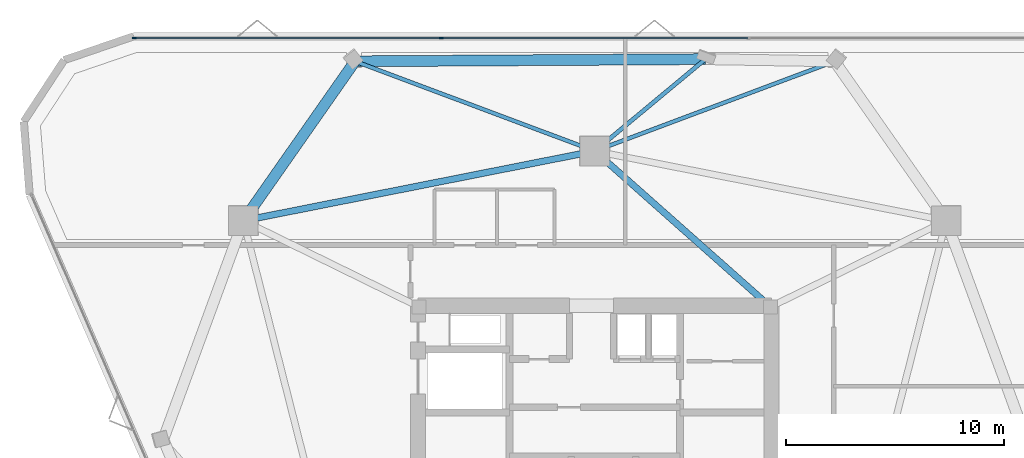
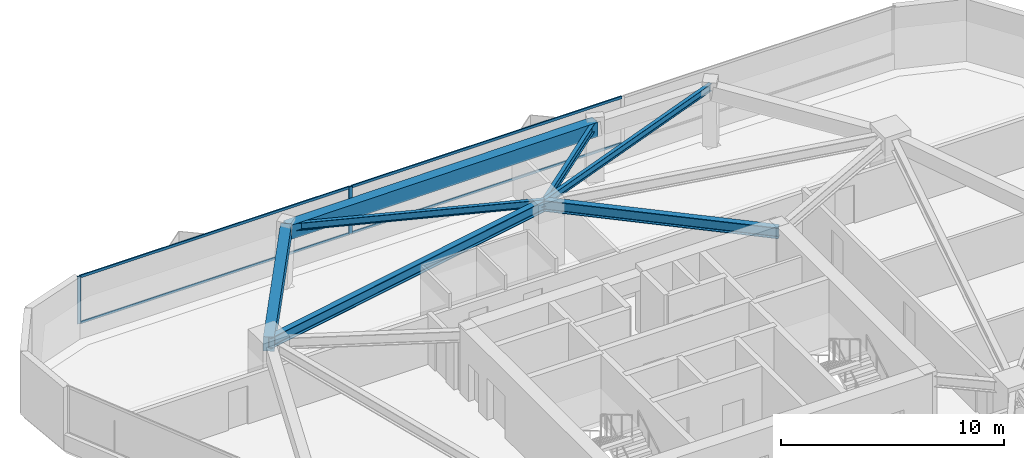
# One storey, part 6 of 13: 7 beams, 6 members, 1 element without a shape of its own.
"""IFC4 building model written with IfcOpenShell, lengths in metres."""

from ifc_helpers import new_model, si_unit, direction, frame, origin, origin_2d, place, context, subcontext, project, spatial, rectangle, i_section, extrude, material, layer, layer_set, material_profile, profile_set, type_object, element, aggregate, save


model = new_model("IFC4")

# Units and contexts
model_context = context("Model", 3, precision=1e-05, world=origin(), true_north=direction((0.0, 1.0)))
body_context = subcontext(model_context, "Body", "Model", "MODEL_VIEW")
ifc_project = project(units=[si_unit("LENGTHUNIT", "METRE"), si_unit("AREAUNIT", "SQUARE_METRE"), si_unit("VOLUMEUNIT", "CUBIC_METRE"), si_unit("PLANEANGLEUNIT", "RADIAN"), si_unit("MASSUNIT", "GRAM", prefix="KILO")], contexts=[model_context])

# Site, building, storey
site_placement = place(None, origin())
site = spatial("IfcSite", under=ifc_project, at=site_placement, CompositionType="ELEMENT")
building_placement = place(site_placement, origin())
building = spatial("IfcBuilding", under=site, at=building_placement, Name="Talyreon Biosciences Tower", CompositionType="ELEMENT")
storey_placement = place(building_placement, frame((0.0, 0.0, 190.35009765625)))
storey = spatial("IfcBuildingStorey", under=building, at=storey_placement, Name="L50", CompositionType="ELEMENT", Elevation=190.35009765625)

# Curtain wall, members
ifc_material_1 = material(Name="Thermally broken aluminium and low-E glazing", Category="aluminium")
ifc_layer = layer(ifc_material_1, 0.179931640625)
ifc_layer_set = layer_set([ifc_layer], Name="Thermally broken aluminium and low-E glazing")
curtain_wall_type = type_object("IfcCurtainWallType", Name="CurtainWall_Zone4Optical", PredefinedType="NOTDEFINED", material=ifc_layer_set)
curtain_wall_placement = place(storey_placement, origin())
curtain_wall = element("IfcCurtainWall", 1, at=curtain_wall_placement, inside=storey, type_object=curtain_wall_type, Name="L50 Unitised Curtain Wall FCW-L50-04", PredefinedType="NOTDEFINED")
ifc_material_2 = material(Name="Anodised thermally broken aluminium", Category="aluminium")
ifc_material_profile_1 = material_profile(ifc_material_2, rectangle(XDim=0.06494140625, YDim=0.179931640625, at=origin_2d()), Name="ALUM MULLION 65x180")
ifc_profile_set_1 = profile_set([ifc_material_profile_1], Name="Anodised thermally broken aluminium")
member_type_1 = type_object("IfcMemberType", Name="CWMullion_65x180", PredefinedType="MULLION", material=ifc_profile_set_1)
member_1_placement = place(storey_placement, frame((44.90185546875, 86.971923828125, 0.809814453125), z_axis=(0.0, 0.0, 1.0), x_axis=(0.0, 1.0, 0.0)))
member_1 = element("IfcMember", 2, at=member_1_placement, type_object=member_type_1, Name="CW5 mullion 1", PredefinedType="MULLION", context=body_context, shape_type="SweptSolid", body=[
    extrude(rectangle(XDim=0.06494140625, YDim=0.179931640625, at=origin_2d()), origin(), (0.0, 0.0, 1.0), 2.590087890625),
])
member_2_placement = place(storey_placement, frame((58.95654296875, 86.971923828125, 0.809814453125), z_axis=(0.0, 0.0, 1.0), x_axis=(0.0, 1.0, 0.0)))
member_2 = element("IfcMember", 3, at=member_2_placement, type_object=member_type_1, Name="CW5 mullion 2", PredefinedType="MULLION", context=body_context, shape_type="SweptSolid", body=[
    extrude(rectangle(XDim=0.06494140625, YDim=0.179931640625, at=origin_2d()), origin(), (0.0, 0.0, 1.0), 2.590087890625),
])
ifc_material_profile_2 = material_profile(ifc_material_2, rectangle(XDim=0.06494140625, YDim=0.139892578125, at=origin_2d()), Name="ALUM TRANSOM 65x140")
ifc_profile_set_2 = profile_set([ifc_material_profile_2], Name="Anodised thermally broken aluminium")
member_type_2 = type_object("IfcMemberType", Name="CWTransom_65x140", PredefinedType="USERDEFINED", material=ifc_profile_set_2)
member_3_placement = place(storey_placement, frame((44.934326171875, 86.971923828125, 0.84228515625), z_axis=(1.0, 0.0, 0.0), x_axis=(0.0, 1.0, 0.0)))
member_3 = element("IfcMember", 4, at=member_3_placement, type_object=member_type_2, Name="CW5 transom 1.1", ObjectType="TRANSOM", PredefinedType="USERDEFINED", context=body_context, shape_type="SweptSolid", body=[
    extrude(rectangle(XDim=0.06494140625, YDim=0.139892578125, at=origin_2d()), origin(), (0.0, 0.0, 1.0), 13.98974609375),
])
member_4_placement = place(storey_placement, frame((44.934326171875, 86.971923828125, 3.367431640625), z_axis=(1.0, 0.0, 0.0), x_axis=(0.0, 1.0, 0.0)))
member_4 = element("IfcMember", 5, at=member_4_placement, type_object=member_type_2, Name="CW5 transom 1.2", ObjectType="TRANSOM", PredefinedType="USERDEFINED", context=body_context, shape_type="SweptSolid", body=[
    extrude(rectangle(XDim=0.06494140625, YDim=0.139892578125, at=origin_2d()), origin(), (0.0, 0.0, 1.0), 13.98974609375),
])
member_5_placement = place(storey_placement, frame((58.989013671875, 86.971923828125, 0.84228515625), z_axis=(1.0, 0.0, 0.0), x_axis=(0.0, 1.0, 0.0)))
member_5 = element("IfcMember", 6, at=member_5_placement, type_object=member_type_2, Name="CW5 transom 2.1", ObjectType="TRANSOM", PredefinedType="USERDEFINED", context=body_context, shape_type="SweptSolid", body=[
    extrude(rectangle(XDim=0.06494140625, YDim=0.139892578125, at=origin_2d()), origin(), (0.0, 0.0, 1.0), 14.022216796875),
])
member_6_placement = place(storey_placement, frame((58.989013671875, 86.971923828125, 3.367431640625), z_axis=(1.0, 0.0, 0.0), x_axis=(0.0, 1.0, 0.0)))
member_6 = element("IfcMember", 7, at=member_6_placement, type_object=member_type_2, Name="CW5 transom 2.2", ObjectType="TRANSOM", PredefinedType="USERDEFINED", context=body_context, shape_type="SweptSolid", body=[
    extrude(rectangle(XDim=0.06494140625, YDim=0.139892578125, at=origin_2d()), origin(), (0.0, 0.0, 1.0), 14.022216796875),
])
aggregate(curtain_wall, [member_1, member_2, member_3, member_4, member_5, member_6])

# Beams
ifc_material_3 = material(Name="Precast concrete C45/55", Category="concrete")
ifc_material_profile_3 = material_profile(ifc_material_3, rectangle(XDim=0.5, YDim=0.780029296875, at=origin_2d()), Name="RCB 500x780")
ifc_profile_set_3 = profile_set([ifc_material_profile_3], Name="Precast concrete C45/55")
beam_type_1 = type_object("IfcBeamType", Name="ExpressedSpandrel_500x780", PredefinedType="SPANDREL", material=ifc_profile_set_3)
beam_1_placement = place(storey_placement, frame((71.0712890625, 86.001953125, 3.010009765625), z_axis=(-0.999980669517, -0.006217764204, 0.0), x_axis=(0.006217764204, -0.999980669517, 0.0)))
element("IfcBeam", 8, at=beam_1_placement, inside=storey, type_object=beam_type_1, Name="L50 Expressed Horizontal Concrete Spandrel 07", PredefinedType="SPANDREL", context=body_context, shape_type="SweptSolid", body=[
    extrude(rectangle(XDim=0.5, YDim=0.780029296875, at=origin_2d()), origin(), (0.0, 0.0, 1.0), 16.059326171875),
])
beam_2_placement = place(storey_placement, frame((55.01220703125, 85.902099609375, 3.010009765625), z_axis=(-0.573618538079, -0.81912256273, 0.0), x_axis=(0.81912256273, -0.573618538079, 0.0)))
element("IfcBeam", 9, at=beam_2_placement, inside=storey, type_object=beam_type_1, Name="L50 Expressed Horizontal Concrete Spandrel 08", PredefinedType="SPANDREL", context=body_context, shape_type="SweptSolid", body=[
    extrude(rectangle(XDim=0.5, YDim=0.780029296875, at=origin_2d()), origin(), (0.0, 0.0, 1.0), 8.916259765625),
])
ifc_material_4 = material(Name="Steel SM355", Category="steel")
ifc_material_profile_4 = material_profile(ifc_material_4, i_section(OverallWidth=0.300048828125, OverallDepth=0.60009765625, WebThickness=0.015380859375, FlangeThickness=0.030029296875, FilletRadius=0.027099609375, at=origin_2d()), Name="HE600B")
ifc_profile_set_4 = profile_set([ifc_material_profile_4], Name="Steel SM355")
beam_type_2 = type_object("IfcBeamType", Name="SteelBeam_HE600B", PredefinedType="BEAM", material=ifc_profile_set_4)
beam_3_placement = place(storey_placement, frame((66.0, 81.788818359375, 3.099853515625), z_axis=(-0.980933730698, -0.194342522311, 0.0), x_axis=(0.194342522311, -0.980933730698, 0.0)))
element("IfcBeam", 10, at=beam_3_placement, inside=storey, type_object=beam_type_2, Name="L50 Mega-Ring Girder 4", PredefinedType="BEAM", context=body_context, shape_type="SweptSolid", body=[
    extrude(i_section(OverallWidth=0.300048828125, OverallDepth=0.60009765625, WebThickness=0.015380859375, FlangeThickness=0.030029296875, FilletRadius=0.027099609375, at=origin_2d()), origin(), (0.0, 0.0, 1.0), 16.415283203125),
])
beam_4_placement = place(storey_placement, frame((74.050048828125, 74.64990234375, 3.099853515625), z_axis=(-0.748178733955, 0.663497235908, 0.0), x_axis=(-0.663497235908, -0.748178733955, 0.0)))
element("IfcBeam", 11, at=beam_4_placement, inside=storey, type_object=beam_type_2, Name="L50 Radial Primary Girder 4", PredefinedType="BEAM", context=body_context, shape_type="SweptSolid", body=[
    extrude(i_section(OverallWidth=0.300048828125, OverallDepth=0.60009765625, WebThickness=0.015380859375, FlangeThickness=0.030029296875, FilletRadius=0.027099609375, at=origin_2d()), origin(), (0.0, 0.0, 1.0), 10.759521484375),
])
ifc_material_profile_5 = material_profile(ifc_material_4, i_section(OverallWidth=0.179931640625, OverallDepth=0.39990234375, WebThickness=0.008544921875, FlangeThickness=0.013427734375, FilletRadius=0.02099609375, at=origin_2d()), Name="IPE400")
ifc_profile_set_5 = profile_set([ifc_material_profile_5], Name="Steel SM355")
beam_type_3 = type_object("IfcBeamType", Name="SteelJoist_IPE400", PredefinedType="JOIST", material=ifc_profile_set_5)
beam_5_placement = place(storey_placement, frame((66.0, 81.788818359375, 3.199951171875), z_axis=(0.936531691447, 0.350582930155, 0.0), x_axis=(-0.350582930155, 0.936531691447, 0.0)))
element("IfcBeam", 12, at=beam_5_placement, inside=storey, type_object=beam_type_3, Name="L50 Radial Composite Floor Joist PC-N1", PredefinedType="JOIST", context=body_context, shape_type="SweptSolid", body=[
    extrude(i_section(OverallWidth=0.179931640625, OverallDepth=0.39990234375, WebThickness=0.008544921875, FlangeThickness=0.013427734375, FilletRadius=0.02099609375, at=origin_2d()), origin(), (0.0, 0.0, 1.0), 11.732666015625),
])
beam_6_placement = place(storey_placement, frame((66.0, 81.788818359375, 3.199951171875), z_axis=(-0.936529133823, 0.350589762402, 0.0), x_axis=(-0.350589762402, -0.936529133823, 0.0)))
element("IfcBeam", 13, at=beam_6_placement, inside=storey, type_object=beam_type_3, Name="L50 Radial Composite Floor Joist PC-N2", PredefinedType="JOIST", context=body_context, shape_type="SweptSolid", body=[
    extrude(i_section(OverallWidth=0.179931640625, OverallDepth=0.39990234375, WebThickness=0.008544921875, FlangeThickness=0.013427734375, FilletRadius=0.02099609375, at=origin_2d()), origin(), (0.0, 0.0, 1.0), 11.732421875),
])
ifc_material_profile_6 = material_profile(ifc_material_4, i_section(OverallWidth=0.18994140625, OverallDepth=0.449951171875, WebThickness=0.009521484375, FlangeThickness=0.0146484375, FilletRadius=0.02099609375, at=origin_2d()), Name="IPE450")
ifc_profile_set_6 = profile_set([ifc_material_profile_6], Name="Steel SM355")
beam_type_4 = type_object("IfcBeamType", Name="SteelJoist_IPE450", PredefinedType="JOIST", material=ifc_profile_set_6)
beam_7_placement = place(storey_placement, frame((66.0, 81.788818359375, 3.1748046875), z_axis=(0.769185612707, 0.639025424537, 0.0), x_axis=(-0.639025424537, 0.769185612707, 0.0)))
element("IfcBeam", 14, at=beam_7_placement, inside=storey, type_object=beam_type_4, Name="L50 Radial Composite Floor Joist PL-N", PredefinedType="JOIST", context=body_context, shape_type="SweptSolid", body=[
    extrude(i_section(OverallWidth=0.18994140625, OverallDepth=0.449951171875, WebThickness=0.009521484375, FlangeThickness=0.0146484375, FilletRadius=0.02099609375, at=origin_2d()), origin(), (0.0, 0.0, 1.0), 6.593017578125),
])

save(model, "model.ifc")
